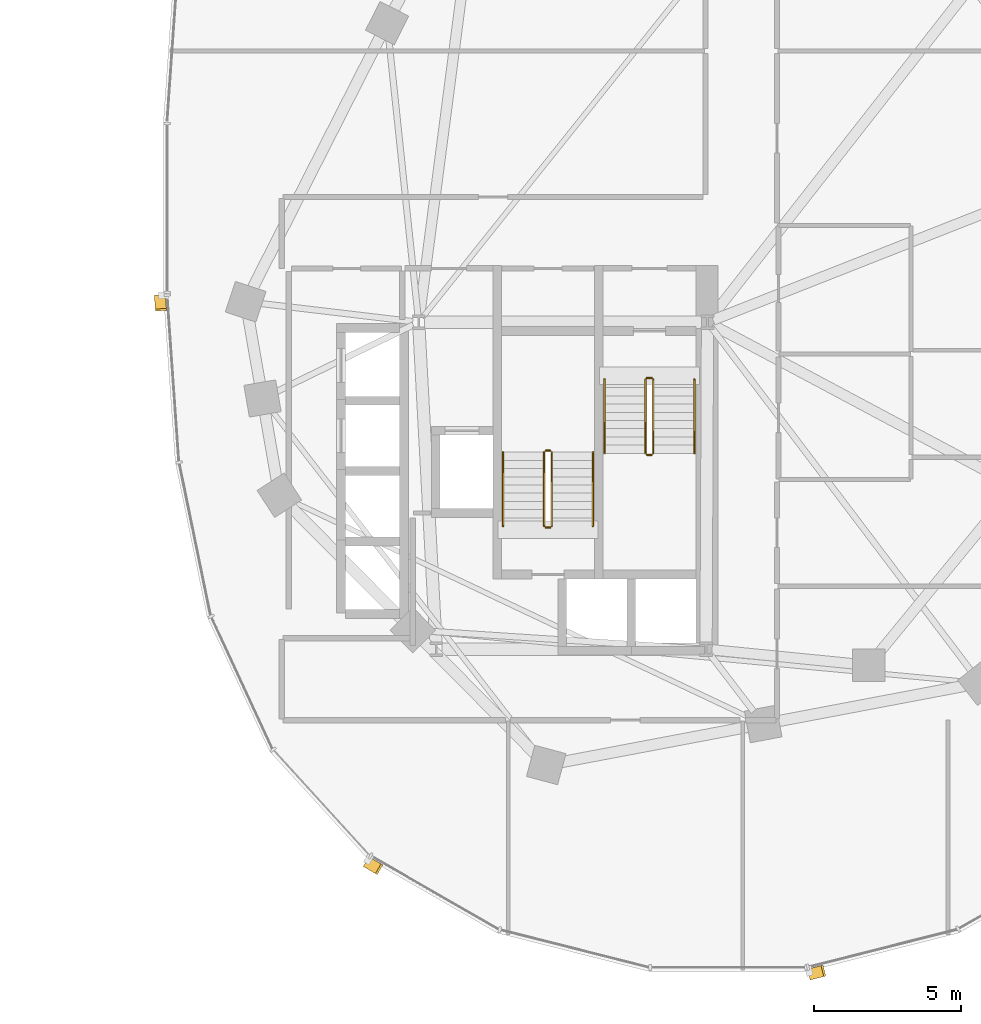
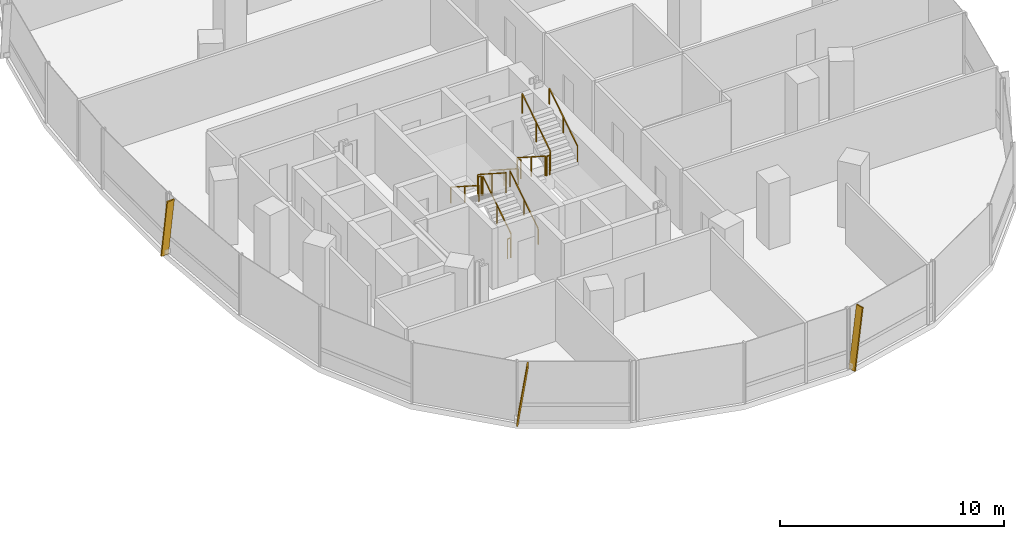
# One storey, part 20 of 21: 12 railings, 3 shading devices.
"""IFC4 building model written with IfcOpenShell, lengths in metres."""

from ifc_helpers import new_model, si_unit, direction, frame, origin, origin_2d, place, context, subcontext, project, spatial, rectangle, extrude, material, material_profile, profile_set, type_object, element, save


model = new_model("IFC4")

# Units and contexts
model_context = context("Model", 3, precision=1e-05, world=origin(), true_north=direction((0.0, 1.0)))
body_context = subcontext(model_context, "Body", "Model", "MODEL_VIEW")
ifc_project = project(units=[si_unit("LENGTHUNIT", "METRE"), si_unit("AREAUNIT", "SQUARE_METRE"), si_unit("VOLUMEUNIT", "CUBIC_METRE"), si_unit("PLANEANGLEUNIT", "RADIAN"), si_unit("MASSUNIT", "GRAM", prefix="KILO"), si_unit("THERMODYNAMICTEMPERATUREUNIT", "KELVIN"), si_unit("POWERUNIT", "WATT")], contexts=[model_context])

# Site, building, storey
site_placement = place(None, origin())
site = spatial("IfcSite", under=ifc_project, at=site_placement, CompositionType="ELEMENT")
building_placement = place(site_placement, origin())
building = spatial("IfcBuilding", under=site, at=building_placement, Name="Cundina Bronze Exchange", CompositionType="ELEMENT")
storey_placement = place(building_placement, frame((0.0, 0.0, 121.39990234375)))
storey = spatial("IfcBuildingStorey", under=building, at=storey_placement, Name="L31", CompositionType="ELEMENT", Elevation=121.39990234375)

# Railings
ifc_material_1 = material(Name="Steel ASTM A36 Painted", Category="steel")
railing_type_1 = type_object("IfcRailingType", Name="RLG-HND-900", PredefinedType="HANDRAIL", material=ifc_material_1)
railing_1_placement = place(storey_placement, frame((27.7900390625, -5.85009765625, 0.18017578125)))
element("IfcRailing", 1, at=railing_1_placement, inside=storey, type_object=railing_type_1, Name="L31 ST-E1 stair handrail 1", PredefinedType="HANDRAIL", context=body_context, shape_type="SweptSolid", body=[
    extrude(rectangle(XDim=0.048095703125, YDim=0.048095703125, at=origin_2d()), frame((0.0, 0.0, 0.8759765625), z_axis=(0.0, -0.841199657755, 0.540724639528), x_axis=(1.0, 0.0, 0.0)), (0.0, 0.0, 1.0), 2.995849609375),
    extrude(rectangle(XDim=0.0419921875, YDim=0.0419921875, at=origin_2d()), origin(), (0.0, 0.0, 1.0), 0.851806640625),
    extrude(rectangle(XDim=0.0419921875, YDim=0.0419921875, at=origin_2d()), frame((0.0, -1.260009765625, 0.81005859375)), (0.0, 0.0, 1.0), 0.851806640625),
    extrude(rectangle(XDim=0.0419921875, YDim=0.0419921875, at=origin_2d()), frame((0.0, -2.52001953125, 1.619873046875)), (0.0, 0.0, 1.0), 0.851806640625),
])
railing_2_placement = place(storey_placement, frame((30.85009765625, -8.3701171875, 1.97998046875)))
element("IfcRailing", 2, at=railing_2_placement, inside=storey, type_object=railing_type_1, Name="L31 ST-E1 stair handrail 2", PredefinedType="HANDRAIL", context=body_context, shape_type="SweptSolid", body=[
    extrude(rectangle(XDim=0.048095703125, YDim=0.048095703125, at=origin_2d()), frame((0.0, 0.0, 0.8759765625), z_axis=(0.0, 0.841162588446, 0.540782303519), x_axis=(-1.0, 0.0, 0.0)), (0.0, 0.0, 1.0), 2.995849609375),
    extrude(rectangle(XDim=0.0419921875, YDim=0.0419921875, at=origin_2d()), origin(), (0.0, 0.0, 1.0), 0.851806640625),
    extrude(rectangle(XDim=0.0419921875, YDim=0.0419921875, at=origin_2d()), frame((0.0, 1.260009765625, 0.81005859375)), (0.0, 0.0, 1.0), 0.851806640625),
    extrude(rectangle(XDim=0.0419921875, YDim=0.0419921875, at=origin_2d()), frame((0.0, 2.52001953125, 1.6201171875)), (0.0, 0.0, 1.0), 0.851806640625),
])
railing_3_placement = place(storey_placement, frame((27.389892578125, -10.85009765625, 0.18017578125)))
element("IfcRailing", 3, at=railing_3_placement, inside=storey, type_object=railing_type_1, Name="L31 ST-E2 stair handrail 1", PredefinedType="HANDRAIL", context=body_context, shape_type="SweptSolid", body=[
    extrude(rectangle(XDim=0.048095703125, YDim=0.048095703125, at=origin_2d()), frame((0.0, 0.0, 0.8759765625), z_axis=(0.0, 0.841199657755, 0.540724639528), x_axis=(-1.0, 0.0, 0.0)), (0.0, 0.0, 1.0), 2.995849609375),
    extrude(rectangle(XDim=0.0419921875, YDim=0.0419921875, at=origin_2d()), origin(), (0.0, 0.0, 1.0), 0.851806640625),
    extrude(rectangle(XDim=0.0419921875, YDim=0.0419921875, at=origin_2d()), frame((0.0, 1.260009765625, 0.81005859375)), (0.0, 0.0, 1.0), 0.851806640625),
    extrude(rectangle(XDim=0.0419921875, YDim=0.0419921875, at=origin_2d()), frame((0.0, 2.52001953125, 1.619873046875)), (0.0, 0.0, 1.0), 0.851806640625),
])
railing_4_placement = place(storey_placement, frame((24.330078125, -8.330078125, 1.97998046875)))
element("IfcRailing", 4, at=railing_4_placement, inside=storey, type_object=railing_type_1, Name="L31 ST-E2 stair handrail 2", PredefinedType="HANDRAIL", context=body_context, shape_type="SweptSolid", body=[
    extrude(rectangle(XDim=0.048095703125, YDim=0.048095703125, at=origin_2d()), frame((0.0, 0.0, 0.8759765625), z_axis=(0.0, -0.841162588446, 0.540782303519), x_axis=(1.0, 0.0, 0.0)), (0.0, 0.0, 1.0), 2.995849609375),
    extrude(rectangle(XDim=0.0419921875, YDim=0.0419921875, at=origin_2d()), origin(), (0.0, 0.0, 1.0), 0.851806640625),
    extrude(rectangle(XDim=0.0419921875, YDim=0.0419921875, at=origin_2d()), frame((0.0, -1.260009765625, 0.81005859375)), (0.0, 0.0, 1.0), 0.851806640625),
    extrude(rectangle(XDim=0.0419921875, YDim=0.0419921875, at=origin_2d()), frame((0.0, -2.52001953125, 1.6201171875)), (0.0, 0.0, 1.0), 0.851806640625),
])
railing_type_2 = type_object("IfcRailingType", Name="RLG-STG-1100", PredefinedType="GUARDRAIL", material=ifc_material_1)
railing_5_placement = place(storey_placement, frame((29.18994140625, -5.85009765625, 0.18017578125)))
element("IfcRailing", 5, at=railing_5_placement, inside=storey, type_object=railing_type_2, Name="L31 ST-E1 stair guard 1", PredefinedType="GUARDRAIL", context=body_context, shape_type="SweptSolid", body=[
    extrude(rectangle(XDim=0.048095703125, YDim=0.048095703125, at=origin_2d()), frame((0.0, 0.0, 1.076171875), z_axis=(0.0, -0.841199657755, 0.540724639528), x_axis=(1.0, 0.0, 0.0)), (0.0, 0.0, 1.0), 2.995849609375),
    extrude(rectangle(XDim=0.0419921875, YDim=0.0419921875, at=origin_2d()), origin(), (0.0, 0.0, 1.0), 1.052001953125),
    extrude(rectangle(XDim=0.0419921875, YDim=0.0419921875, at=origin_2d()), frame((0.0, -1.260009765625, 0.81005859375)), (0.0, 0.0, 1.0), 1.052001953125),
    extrude(rectangle(XDim=0.0419921875, YDim=0.0419921875, at=origin_2d()), frame((0.0, -2.52001953125, 1.619873046875)), (0.0, 0.0, 1.0), 1.052001953125),
])
railing_6_placement = place(storey_placement, frame((29.239990234375, -8.419921875, 1.800048828125)))
element("IfcRailing", 6, at=railing_6_placement, inside=storey, type_object=railing_type_2, Name="L31 ST-E1 stair guard 2", PredefinedType="GUARDRAIL", context=body_context, shape_type="SweptSolid", body=[
    extrude(rectangle(XDim=0.048095703125, YDim=0.048095703125, at=origin_2d()), frame((0.0, 0.0, 1.076171875), z_axis=(1.0, 0.0, 0.0), x_axis=(0.0, 1.0, 0.0)), (0.0, 0.0, 1.0), 0.159912109375),
    extrude(rectangle(XDim=0.0419921875, YDim=0.0419921875, at=origin_2d()), origin(), (0.0, 0.0, 1.0), 1.052001953125),
    extrude(rectangle(XDim=0.0419921875, YDim=0.0419921875, at=origin_2d()), frame((0.159912109375, 0.0, 0.0)), (0.0, 0.0, 1.0), 1.052001953125),
])
railing_7_placement = place(storey_placement, frame((29.449951171875, -8.3701171875, 1.97998046875)))
element("IfcRailing", 7, at=railing_7_placement, inside=storey, type_object=railing_type_2, Name="L31 ST-E1 stair guard 3", PredefinedType="GUARDRAIL", context=body_context, shape_type="SweptSolid", body=[
    extrude(rectangle(XDim=0.048095703125, YDim=0.048095703125, at=origin_2d()), frame((0.0, 0.0, 1.076171875), z_axis=(0.0, 0.841162588446, 0.540782303519), x_axis=(-1.0, 0.0, 0.0)), (0.0, 0.0, 1.0), 2.995849609375),
    extrude(rectangle(XDim=0.0419921875, YDim=0.0419921875, at=origin_2d()), origin(), (0.0, 0.0, 1.0), 1.052001953125),
    extrude(rectangle(XDim=0.0419921875, YDim=0.0419921875, at=origin_2d()), frame((0.0, 1.260009765625, 0.81005859375)), (0.0, 0.0, 1.0), 1.052001953125),
    extrude(rectangle(XDim=0.0419921875, YDim=0.0419921875, at=origin_2d()), frame((0.0, 2.52001953125, 1.6201171875)), (0.0, 0.0, 1.0), 1.052001953125),
])
railing_8_placement = place(storey_placement, frame((29.239990234375, -5.800048828125, 0.0)))
element("IfcRailing", 8, at=railing_8_placement, inside=storey, type_object=railing_type_2, Name="L31 ST-E1 stair guard 4", PredefinedType="GUARDRAIL", context=body_context, shape_type="SweptSolid", body=[
    extrude(rectangle(XDim=0.048095703125, YDim=0.048095703125, at=origin_2d()), frame((0.0, 0.0, 1.076171875), z_axis=(1.0, 0.0, 0.0), x_axis=(0.0, 1.0, 0.0)), (0.0, 0.0, 1.0), 0.159912109375),
    extrude(rectangle(XDim=0.0419921875, YDim=0.0419921875, at=origin_2d()), origin(), (0.0, 0.0, 1.0), 1.052001953125),
    extrude(rectangle(XDim=0.0419921875, YDim=0.0419921875, at=origin_2d()), frame((0.159912109375, 0.0, 0.0)), (0.0, 0.0, 1.0), 1.052001953125),
])
railing_9_placement = place(storey_placement, frame((25.989990234375, -10.85009765625, 0.18017578125)))
element("IfcRailing", 9, at=railing_9_placement, inside=storey, type_object=railing_type_2, Name="L31 ST-E2 stair guard 1", PredefinedType="GUARDRAIL", context=body_context, shape_type="SweptSolid", body=[
    extrude(rectangle(XDim=0.048095703125, YDim=0.048095703125, at=origin_2d()), frame((0.0, 0.0, 1.076171875), z_axis=(0.0, 0.841199657755, 0.540724639528), x_axis=(-1.0, 0.0, 0.0)), (0.0, 0.0, 1.0), 2.995849609375),
    extrude(rectangle(XDim=0.0419921875, YDim=0.0419921875, at=origin_2d()), origin(), (0.0, 0.0, 1.0), 1.052001953125),
    extrude(rectangle(XDim=0.0419921875, YDim=0.0419921875, at=origin_2d()), frame((0.0, 1.260009765625, 0.81005859375)), (0.0, 0.0, 1.0), 1.052001953125),
    extrude(rectangle(XDim=0.0419921875, YDim=0.0419921875, at=origin_2d()), frame((0.0, 2.52001953125, 1.619873046875)), (0.0, 0.0, 1.0), 1.052001953125),
])
railing_10_placement = place(storey_placement, frame((25.93994140625, -8.280029296875, 1.800048828125)))
element("IfcRailing", 10, at=railing_10_placement, inside=storey, type_object=railing_type_2, Name="L31 ST-E2 stair guard 2", PredefinedType="GUARDRAIL", context=body_context, shape_type="SweptSolid", body=[
    extrude(rectangle(XDim=0.048095703125, YDim=0.048095703125, at=origin_2d()), frame((0.0, 0.0, 1.076171875), z_axis=(-1.0, 0.0, 0.0), x_axis=(0.0, -1.0, 0.0)), (0.0, 0.0, 1.0), 0.159912109375),
    extrude(rectangle(XDim=0.0419921875, YDim=0.0419921875, at=origin_2d()), origin(), (0.0, 0.0, 1.0), 1.052001953125),
    extrude(rectangle(XDim=0.0419921875, YDim=0.0419921875, at=origin_2d()), frame((-0.159912109375, 0.0, 0.0)), (0.0, 0.0, 1.0), 1.052001953125),
])
railing_11_placement = place(storey_placement, frame((25.72998046875, -8.330078125, 1.97998046875)))
element("IfcRailing", 11, at=railing_11_placement, inside=storey, type_object=railing_type_2, Name="L31 ST-E2 stair guard 3", PredefinedType="GUARDRAIL", context=body_context, shape_type="SweptSolid", body=[
    extrude(rectangle(XDim=0.048095703125, YDim=0.048095703125, at=origin_2d()), frame((0.0, 0.0, 1.076171875), z_axis=(0.0, -0.841162588446, 0.540782303519), x_axis=(1.0, 0.0, 0.0)), (0.0, 0.0, 1.0), 2.995849609375),
    extrude(rectangle(XDim=0.0419921875, YDim=0.0419921875, at=origin_2d()), origin(), (0.0, 0.0, 1.0), 1.052001953125),
    extrude(rectangle(XDim=0.0419921875, YDim=0.0419921875, at=origin_2d()), frame((0.0, -1.260009765625, 0.81005859375)), (0.0, 0.0, 1.0), 1.052001953125),
    extrude(rectangle(XDim=0.0419921875, YDim=0.0419921875, at=origin_2d()), frame((0.0, -2.52001953125, 1.6201171875)), (0.0, 0.0, 1.0), 1.052001953125),
])
railing_12_placement = place(storey_placement, frame((25.93994140625, -10.89990234375, 0.0)))
element("IfcRailing", 12, at=railing_12_placement, inside=storey, type_object=railing_type_2, Name="L31 ST-E2 stair guard 4", PredefinedType="GUARDRAIL", context=body_context, shape_type="SweptSolid", body=[
    extrude(rectangle(XDim=0.048095703125, YDim=0.048095703125, at=origin_2d()), frame((0.0, 0.0, 1.076171875), z_axis=(-1.0, 0.0, 0.0), x_axis=(0.0, -1.0, 0.0)), (0.0, 0.0, 1.0), 0.159912109375),
    extrude(rectangle(XDim=0.0419921875, YDim=0.0419921875, at=origin_2d()), origin(), (0.0, 0.0, 1.0), 1.052001953125),
    extrude(rectangle(XDim=0.0419921875, YDim=0.0419921875, at=origin_2d()), frame((-0.159912109375, 0.0, 0.0)), (0.0, 0.0, 1.0), 1.052001953125),
])

# Shading devices
ifc_material_2 = material(Name="Anodised Bronze Aluminium 6063-T6", Category="aluminium")
ifc_material_profile = material_profile(ifc_material_2, rectangle(XDim=0.070068359375, YDim=0.3798828125, at=origin_2d()), Name="FIN70X380", Category="aluminium")
ifc_profile_set = profile_set([ifc_material_profile], Name="Anodised Bronze Aluminium 6063-T6")
shading_device_type = type_object("IfcShadingDeviceType", Name="SHD-FIN-BRZ380", PredefinedType="USERDEFINED", material=ifc_profile_set)
for number, where, z_axis, x_axis, name in (
    (13, (12.6259765625, -2.993896484375, 0.02001953125), (0.010224545828, -0.145292278041, 0.989335945271), (-0.069450050635, 0.986895284755, 0.145651595925), "L31 Diagonal Bronze Solar Fin 1"),
    (14, (19.685791015625, -22.314208984375, 0.02001953125), (0.126324692219, -0.072534823274, 0.989333498649), (-0.857958278167, 0.492634108109, 0.145668213594), "L31 Diagonal Bronze Solar Fin 5"),
    (15, (34.787353515625, -26.138427734375, 0.02001953125), (0.141217047268, 0.035711761166, 0.989334329575), (-0.95914051701, -0.242552848478, 0.145662570088), "L31 Diagonal Bronze Solar Fin 1"),
):
    element("IfcShadingDevice", number, at=place(storey_placement, frame(where, z_axis=z_axis, x_axis=x_axis)), inside=storey, type_object=shading_device_type, Name=name, ObjectType="FIN", PredefinedType="USERDEFINED", context=body_context, shape_type="SweptSolid", body=[
        extrude(rectangle(XDim=0.070068359375, YDim=0.3798828125, at=origin_2d()), origin(), (0.0, 0.0, 1.0), 3.295166015625),
    ])

save(model, "model.ifc")
